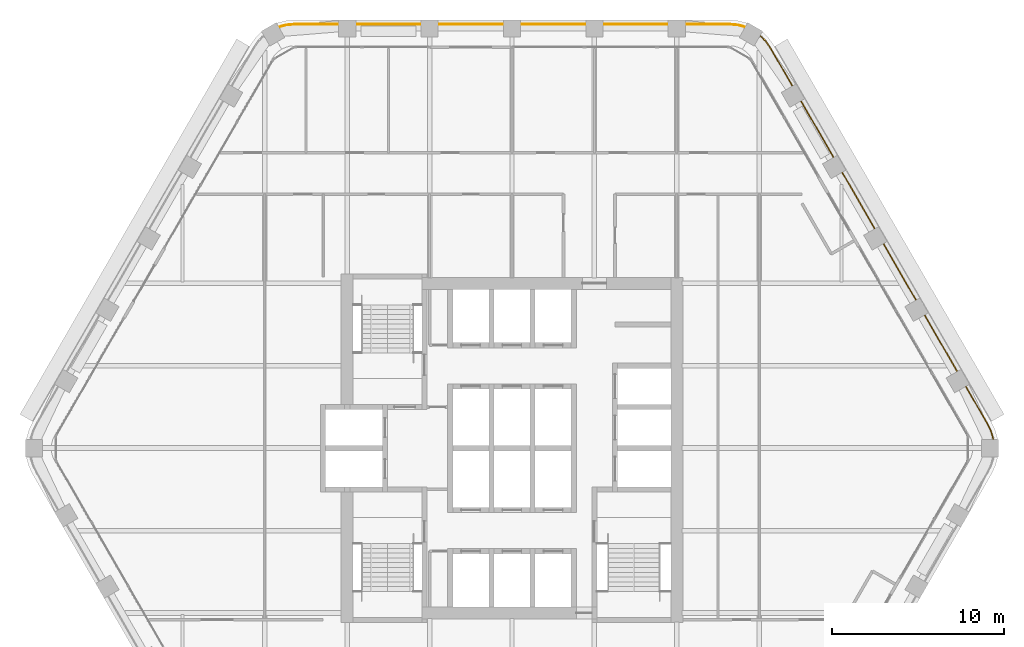
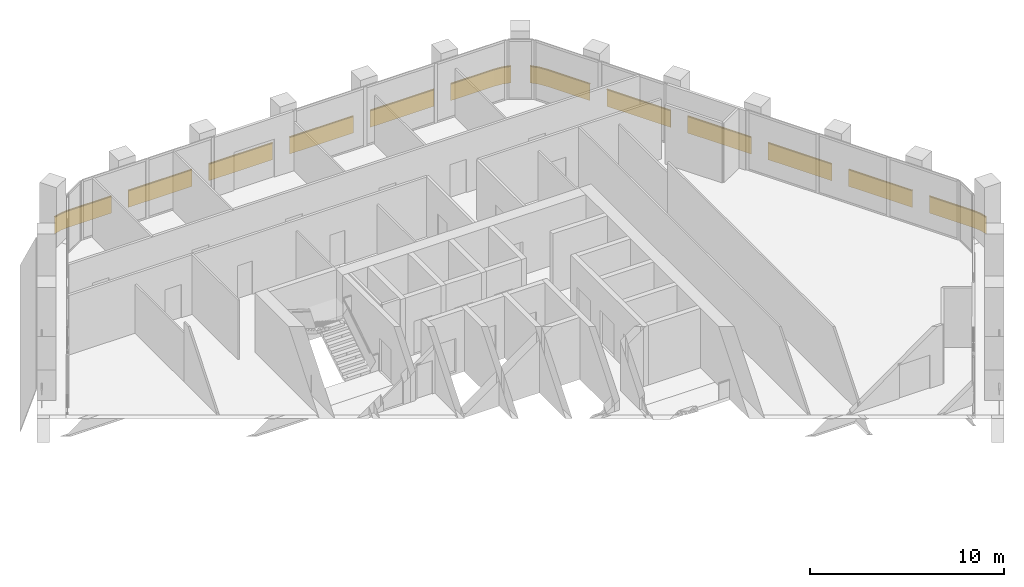
# One storey, part 15 of 15: 2 railings.
"""IFC4 building model written with IfcOpenShell, lengths in metres."""

from ifc_helpers import new_model, si_unit, direction, frame, frame_2d, origin, origin_2d, place, context, subcontext, project, spatial, rectangle, extrude, material, type_object, element, save


model = new_model("IFC4")

# Units and contexts
model_context = context("Model", 3, precision=1e-05, world=origin(), true_north=direction((0.0, 1.0)))
body_context = subcontext(model_context, "Body", "Model", "MODEL_VIEW")
ifc_project = project(units=[si_unit("LENGTHUNIT", "METRE"), si_unit("AREAUNIT", "SQUARE_METRE"), si_unit("VOLUMEUNIT", "CUBIC_METRE"), si_unit("PLANEANGLEUNIT", "RADIAN"), si_unit("MASSUNIT", "GRAM", prefix="KILO")], contexts=[model_context])

# Site, building, storey
site_placement = place(None, origin())
site = spatial("IfcSite", under=ifc_project, at=site_placement, CompositionType="ELEMENT")
building_placement = place(site_placement, origin())
building = spatial("IfcBuilding", under=site, at=building_placement, Name="Kolab Exchange Tower", CompositionType="ELEMENT")
storey_placement = place(building_placement, frame((0.0, 0.0, 185.60009765625)))
storey = spatial("IfcBuildingStorey", under=building, at=storey_placement, Name="L39", CompositionType="ELEMENT", Elevation=185.60009765625)

# Railings
ifc_material = material(Name="Steel S235", Category="steel")
railing_type = type_object("IfcRailingType", Name="GUARD 1100 GLASS BALUSTRADE AND STEEL TOP RAIL", PredefinedType="GUARDRAIL", material=ifc_material)
railing_1_placement = place(storey_placement, frame((13.588623046875, 24.531005859375, 0.0)))
element("IfcRailing", 1, at=railing_1_placement, inside=storey, type_object=railing_type, Name="Guard", PredefinedType="GUARDRAIL", context=body_context, shape_type="SweptSolid", body=[
    extrude(rectangle(XDim=0.05, YDim=0.05, at=origin_2d()), frame((0.0, 0.0, 1.0751953125), z_axis=(-0.965969425465, 0.25865627591, 0.0), x_axis=(-0.25865627591, -0.965969425465, 0.0)), (0.0, 0.0, 1.0), 0.458740234375),
    extrude(rectangle(XDim=0.012, YDim=1.05009765625, at=frame_2d((0.0, 0.525146484375))), frame((0.0, 0.0, 0.0), z_axis=(-0.965969425465, 0.25865627591, 0.0), x_axis=(-0.25865627591, -0.965969425465, 0.0)), (0.0, 0.0, 1.0), 0.458740234375),
    extrude(rectangle(XDim=0.05, YDim=0.05, at=origin_2d()), frame((-0.443115234375, 0.11865234375, 1.0751953125), z_axis=(-0.996156034798, 0.087596542937, 0.0), x_axis=(-0.087596542937, -0.996156034798, 0.0)), (0.0, 0.0, 1.0), 0.4794921875),
    extrude(rectangle(XDim=0.012, YDim=1.05009765625, at=frame_2d((0.0, 0.525146484375))), frame((-0.443115234375, 0.11865234375, 0.0), z_axis=(-0.996156034798, 0.087596542937, 0.0), x_axis=(-0.087596542937, -0.996156034798, 0.0)), (0.0, 0.0, 1.0), 0.4794921875),
    extrude(rectangle(XDim=0.05, YDim=0.05, at=origin_2d()), frame((-0.920654296875, 0.16064453125, 1.0751953125), z_axis=(-1.0, 0.0, 0.0), x_axis=(0.0, -1.0, 0.0)), (0.0, 0.0, 1.0), 2.56787109375),
    extrude(rectangle(XDim=0.012, YDim=1.05009765625, at=frame_2d((0.0, 0.525146484375))), frame((-0.920654296875, 0.16064453125, 0.0), z_axis=(-1.0, 0.0, 0.0), x_axis=(0.0, -1.0, 0.0)), (0.0, 0.0, 1.0), 2.56787109375),
    extrude(rectangle(XDim=0.05, YDim=0.05, at=origin_2d()), frame((-4.488525390625, 0.16064453125, 1.0751953125), z_axis=(-1.0, 0.0, 0.0), x_axis=(0.0, -1.0, 0.0)), (0.0, 0.0, 1.0), 3.800048828125),
    extrude(rectangle(XDim=0.012, YDim=1.05009765625, at=frame_2d((0.0, 0.525146484375))), frame((-4.488525390625, 0.16064453125, 0.0), z_axis=(-1.0, 0.0, 0.0), x_axis=(0.0, -1.0, 0.0)), (0.0, 0.0, 1.0), 3.800048828125),
    extrude(rectangle(XDim=0.05, YDim=0.05, at=origin_2d()), frame((-9.28857421875, 0.16064453125, 1.0751953125), z_axis=(-1.0, 0.0, 0.0), x_axis=(0.0, -1.0, 0.0)), (0.0, 0.0, 1.0), 3.800048828125),
    extrude(rectangle(XDim=0.012, YDim=1.05009765625, at=frame_2d((0.0, 0.525146484375))), frame((-9.28857421875, 0.16064453125, 0.0), z_axis=(-1.0, 0.0, 0.0), x_axis=(0.0, -1.0, 0.0)), (0.0, 0.0, 1.0), 3.800048828125),
    extrude(rectangle(XDim=0.05, YDim=0.05, at=origin_2d()), frame((-14.088623046875, 0.16064453125, 1.0751953125), z_axis=(-1.0, 0.0, 0.0), x_axis=(0.0, -1.0, 0.0)), (0.0, 0.0, 1.0), 3.800048828125),
    extrude(rectangle(XDim=0.012, YDim=1.05009765625, at=frame_2d((0.0, 0.525146484375))), frame((-14.088623046875, 0.16064453125, 0.0), z_axis=(-1.0, 0.0, 0.0), x_axis=(0.0, -1.0, 0.0)), (0.0, 0.0, 1.0), 3.800048828125),
    extrude(rectangle(XDim=0.05, YDim=0.05, at=origin_2d()), frame((-18.888671875, 0.16064453125, 1.0751953125), z_axis=(-1.0, 0.0, 0.0), x_axis=(0.0, -1.0, 0.0)), (0.0, 0.0, 1.0), 3.800048828125),
    extrude(rectangle(XDim=0.012, YDim=1.05009765625, at=frame_2d((0.0, 0.525146484375))), frame((-18.888671875, 0.16064453125, 0.0), z_axis=(-1.0, 0.0, 0.0), x_axis=(0.0, -1.0, 0.0)), (0.0, 0.0, 1.0), 3.800048828125),
    extrude(rectangle(XDim=0.05, YDim=0.05, at=origin_2d()), frame((-23.688720703125, 0.16064453125, 1.0751953125), z_axis=(-1.0, 0.0, 0.0), x_axis=(0.0, -1.0, 0.0)), (0.0, 0.0, 1.0), 2.56787109375),
    extrude(rectangle(XDim=0.012, YDim=1.05009765625, at=frame_2d((0.0, 0.525146484375))), frame((-23.688720703125, 0.16064453125, 0.0), z_axis=(-1.0, 0.0, 0.0), x_axis=(0.0, -1.0, 0.0)), (0.0, 0.0, 1.0), 2.56787109375),
    extrude(rectangle(XDim=0.05, YDim=0.05, at=origin_2d()), frame((-26.256591796875, 0.16064453125, 1.0751953125), z_axis=(-0.996156034798, -0.087596542937, 0.0), x_axis=(0.087596542937, -0.996156034798, 0.0)), (0.0, 0.0, 1.0), 0.4794921875),
    extrude(rectangle(XDim=0.012, YDim=1.05009765625, at=frame_2d((0.0, 0.525146484375))), frame((-26.256591796875, 0.16064453125, 0.0), z_axis=(-0.996156034798, -0.087596542937, 0.0), x_axis=(0.087596542937, -0.996156034798, 0.0)), (0.0, 0.0, 1.0), 0.4794921875),
    extrude(rectangle(XDim=0.05, YDim=0.05, at=origin_2d()), frame((-26.734130859375, 0.11865234375, 1.0751953125), z_axis=(-0.965969425465, -0.25865627591, 0.0), x_axis=(0.25865627591, -0.965969425465, 0.0)), (0.0, 0.0, 1.0), 0.458740234375),
    extrude(rectangle(XDim=0.012, YDim=1.05009765625, at=frame_2d((0.0, 0.525146484375))), frame((-26.734130859375, 0.11865234375, 0.0), z_axis=(-0.965969425465, -0.25865627591, 0.0), x_axis=(0.25865627591, -0.965969425465, 0.0)), (0.0, 0.0, 1.0), 0.458740234375),
])
railing_2_placement = place(storey_placement, frame((28.038818359375, 0.49755859375, 0.0)))
element("IfcRailing", 2, at=railing_2_placement, inside=storey, type_object=railing_type, Name="Guard", PredefinedType="GUARDRAIL", context=body_context, shape_type="SweptSolid", body=[
    extrude(rectangle(XDim=0.05, YDim=0.05, at=origin_2d()), frame((0.0, 0.0, 1.0751953125), z_axis=(-0.25865627591, 0.965969425465, 0.0), x_axis=(-0.965969425465, -0.25865627591, 0.0)), (0.0, 0.0, 1.0), 0.458740234375),
    extrude(rectangle(XDim=0.012, YDim=1.05009765625, at=frame_2d((0.0, 0.525146484375))), frame((0.0, 0.0, 0.0), z_axis=(-0.25865627591, 0.965969425465, 0.0), x_axis=(-0.965969425465, -0.25865627591, 0.0)), (0.0, 0.0, 1.0), 0.458740234375),
    extrude(rectangle(XDim=0.05, YDim=0.05, at=origin_2d()), frame((-0.11865234375, 0.443115234375, 1.0751953125), z_axis=(-0.422801802984, 0.906222177721, 0.0), x_axis=(-0.906222177721, -0.422801802984, 0.0)), (0.0, 0.0, 1.0), 0.479248046875),
    extrude(rectangle(XDim=0.012, YDim=1.05009765625, at=frame_2d((0.0, 0.525146484375))), frame((-0.11865234375, 0.443115234375, 0.0), z_axis=(-0.422801802984, 0.906222177721, 0.0), x_axis=(-0.906222177721, -0.422801802984, 0.0)), (0.0, 0.0, 1.0), 0.479248046875),
    extrude(rectangle(XDim=0.05, YDim=0.05, at=origin_2d()), frame((-0.3212890625, 0.87744140625, 1.0751953125), z_axis=(-0.499994038704, 0.866028845513, 0.0), x_axis=(-0.866028845513, -0.499994038704, 0.0)), (0.0, 0.0, 1.0), 2.56787109375),
    extrude(rectangle(XDim=0.012, YDim=1.05009765625, at=frame_2d((0.0, 0.525146484375))), frame((-0.3212890625, 0.87744140625, 0.0), z_axis=(-0.499994038704, 0.866028845513, 0.0), x_axis=(-0.866028845513, -0.499994038704, 0.0)), (0.0, 0.0, 1.0), 2.56787109375),
    extrude(rectangle(XDim=0.05, YDim=0.05, at=origin_2d()), frame((-2.105224609375, 3.96728515625, 1.0751953125), z_axis=(-0.500015340139, 0.86601654697, 0.0), x_axis=(-0.86601654697, -0.500015340139, 0.0)), (0.0, 0.0, 1.0), 3.80029296875),
    extrude(rectangle(XDim=0.012, YDim=1.05009765625, at=frame_2d((0.0, 0.525146484375))), frame((-2.105224609375, 3.96728515625, 0.0), z_axis=(-0.500015340139, 0.86601654697, 0.0), x_axis=(-0.86601654697, -0.500015340139, 0.0)), (0.0, 0.0, 1.0), 3.80029296875),
    extrude(rectangle(XDim=0.05, YDim=0.05, at=origin_2d()), frame((-4.50537109375, 8.124267578125, 1.0751953125), z_axis=(-0.499967155389, 0.866044365799, 0.0), x_axis=(-0.866044365799, -0.499967155389, 0.0)), (0.0, 0.0, 1.0), 3.800048828125),
    extrude(rectangle(XDim=0.012, YDim=1.05009765625, at=frame_2d((0.0, 0.525146484375))), frame((-4.50537109375, 8.124267578125, 0.0), z_axis=(-0.499967155389, 0.866044365799, 0.0), x_axis=(-0.866044365799, -0.499967155389, 0.0)), (0.0, 0.0, 1.0), 3.800048828125),
    extrude(rectangle(XDim=0.05, YDim=0.05, at=origin_2d()), frame((-6.9052734375, 12.28125, 1.0751953125), z_axis=(-0.500043160704, 0.866000483506, 0.0), x_axis=(-0.866000483506, -0.500043160704, 0.0)), (0.0, 0.0, 1.0), 3.800048828125),
    extrude(rectangle(XDim=0.012, YDim=1.05009765625, at=frame_2d((0.0, 0.525146484375))), frame((-6.9052734375, 12.28125, 0.0), z_axis=(-0.500043160704, 0.866000483506, 0.0), x_axis=(-0.866000483506, -0.500043160704, 0.0)), (0.0, 0.0, 1.0), 3.800048828125),
    extrude(rectangle(XDim=0.05, YDim=0.05, at=origin_2d()), frame((-9.305419921875, 16.438232421875, 1.0751953125), z_axis=(-0.499994975061, 0.866028304915, 0.0), x_axis=(-0.866028304915, -0.499994975061, 0.0)), (0.0, 0.0, 1.0), 3.7998046875),
    extrude(rectangle(XDim=0.012, YDim=1.05009765625, at=frame_2d((0.0, 0.525146484375))), frame((-9.305419921875, 16.438232421875, 0.0), z_axis=(-0.499994975061, 0.866028304915, 0.0), x_axis=(-0.866028304915, -0.499994975061, 0.0)), (0.0, 0.0, 1.0), 3.7998046875),
    extrude(rectangle(XDim=0.05, YDim=0.05, at=origin_2d()), frame((-11.705322265625, 20.594970703125, 1.0751953125), z_axis=(-0.499952873616, 0.866052610505, 0.0), x_axis=(-0.866052610505, -0.499952873616, 0.0)), (0.0, 0.0, 1.0), 2.568115234375),
    extrude(rectangle(XDim=0.012, YDim=1.05009765625, at=frame_2d((0.0, 0.525146484375))), frame((-11.705322265625, 20.594970703125, 0.0), z_axis=(-0.499952873616, 0.866052610505, 0.0), x_axis=(-0.866052610505, -0.499952873616, 0.0)), (0.0, 0.0, 1.0), 2.568115234375),
    extrude(rectangle(XDim=0.05, YDim=0.05, at=origin_2d()), frame((-12.9892578125, 22.819091796875, 1.0751953125), z_axis=(-0.573599091554, 0.819136180478, 0.0), x_axis=(-0.819136180478, -0.573599091554, 0.0)), (0.0, 0.0, 1.0), 0.479248046875),
    extrude(rectangle(XDim=0.012, YDim=1.05009765625, at=frame_2d((0.0, 0.525146484375))), frame((-12.9892578125, 22.819091796875, 0.0), z_axis=(-0.573599091554, 0.819136180478, 0.0), x_axis=(-0.819136180478, -0.573599091554, 0.0)), (0.0, 0.0, 1.0), 0.479248046875),
    extrude(rectangle(XDim=0.05, YDim=0.05, at=origin_2d()), frame((-13.26416015625, 23.211669921875, 1.0751953125), z_axis=(-0.70737286085, 0.706840601361, 0.0), x_axis=(-0.706840601361, -0.70737286085, 0.0)), (0.0, 0.0, 1.0), 0.458740234375),
    extrude(rectangle(XDim=0.012, YDim=1.05009765625, at=frame_2d((0.0, 0.525146484375))), frame((-13.26416015625, 23.211669921875, 0.0), z_axis=(-0.70737286085, 0.706840601361, 0.0), x_axis=(-0.706840601361, -0.70737286085, 0.0)), (0.0, 0.0, 1.0), 0.458740234375),
])

save(model, "model.ifc")
